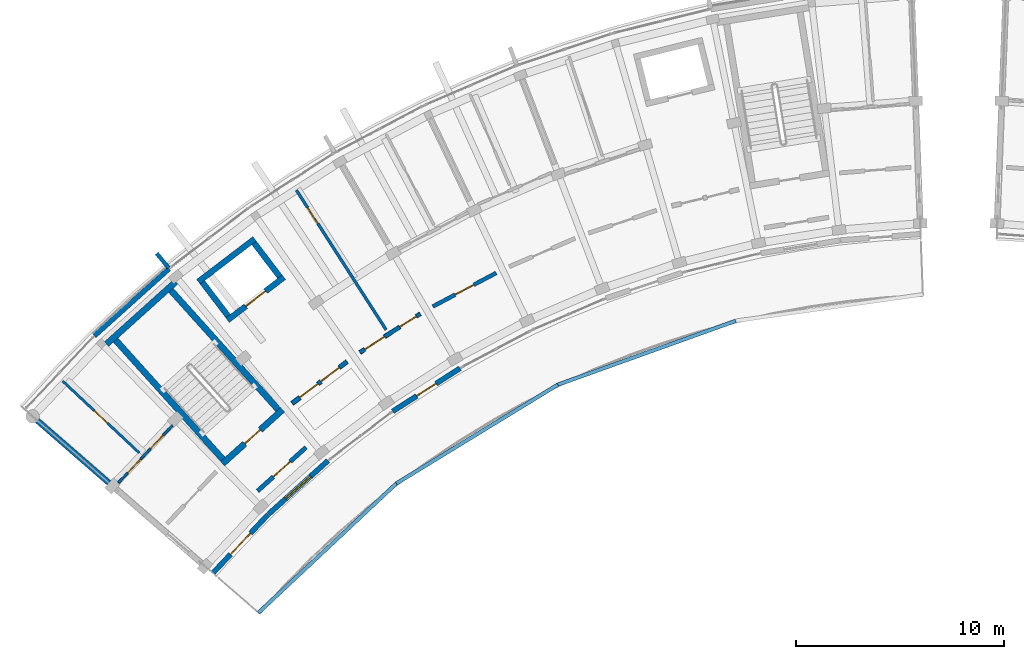
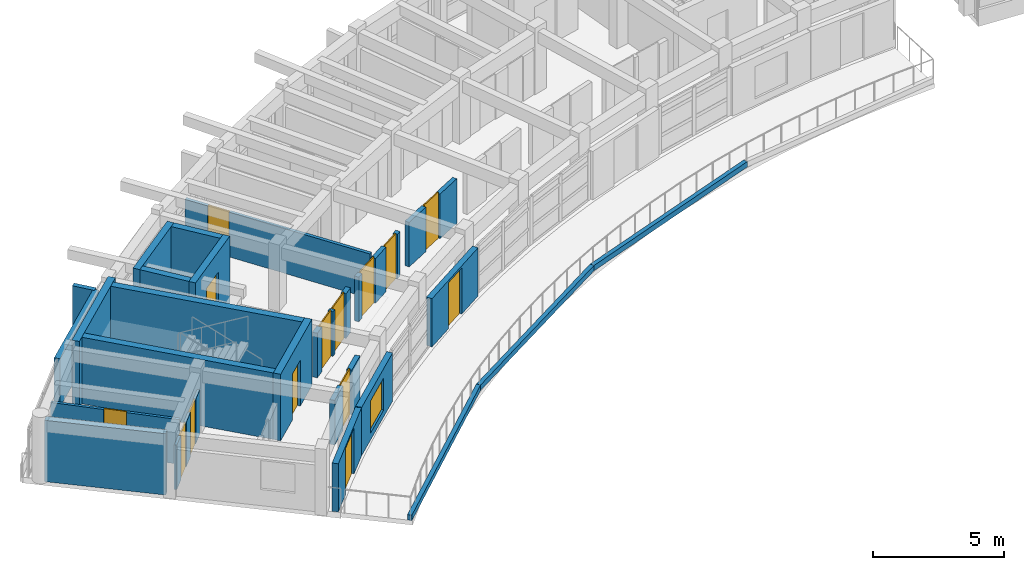
# One storey, part 14 of 23: 24 walls, 14 doors, 1 window, 15 openings.
"""IFC4 building model written with IfcOpenShell, lengths in metres."""

from ifc_helpers import new_model, si_unit, direction, frame, frame_2d, origin, place, context, subcontext, project, spatial, rectangle, extrude, material, layer, layer_set, type_object, element, fill, save


model = new_model("IFC4")

# Units and contexts
model_context = context("Model", 3, precision=1e-05, world=origin(), true_north=direction((0.0, 1.0)))
body_context = subcontext(model_context, "Body", "Model", "MODEL_VIEW")
ifc_project = project(units=[si_unit("LENGTHUNIT", "METRE"), si_unit("AREAUNIT", "SQUARE_METRE"), si_unit("VOLUMEUNIT", "CUBIC_METRE"), si_unit("PLANEANGLEUNIT", "RADIAN"), si_unit("MASSUNIT", "GRAM", prefix="KILO")], contexts=[model_context])

# Site, building, storey
site_placement = place(None, origin())
site = spatial("IfcSite", under=ifc_project, at=site_placement, CompositionType="ELEMENT")
building_placement = place(site_placement, origin())
building = spatial("IfcBuilding", under=site, at=building_placement, Name="Zimvara Arc Housing Community", CompositionType="ELEMENT")
storey_placement = place(building_placement, frame((0.0, 0.0, 36.0)))
storey = spatial("IfcBuildingStorey", under=building, at=storey_placement, Name="L11", CompositionType="ELEMENT", Elevation=36.0)

# Walls
ifc_material_1 = material(Name="Board-Marked Fair-Faced Concrete C35/45", Category="concrete")
ifc_layer_1 = layer(ifc_material_1, 0.179931640625)
ifc_layer_set_1 = layer_set([ifc_layer_1], Name="Board-Marked Fair-Faced Concrete C35/45")
wall_type_1 = type_object("IfcWallType", Name="EWL-PARA-180", PredefinedType="PARAPET", material=ifc_layer_set_1)
wall_1_placement = place(storey_placement, frame((11.400390625, 73.707763671875, 0.0), z_axis=(0.0, 0.0, 1.0), x_axis=(0.729564048979, 0.68391249326, 0.0)))
element("IfcWall", 1, at=wall_1_placement, inside=storey, type_object=wall_type_1, Name="parapet:blkA:L11:p0", PredefinedType="PARAPET", context=body_context, shape_type="SweptSolid", body=[
    extrude(rectangle(XDim=9.075439453125, YDim=0.179931640625, at=frame_2d((4.53759765625, 0.0))), origin(), (0.0, 0.0, 1.0), 0.25),
])
wall_2_placement = place(storey_placement, frame((18.021484375, 79.91455078125, 0.0), z_axis=(0.0, 0.0, 1.0), x_axis=(0.853089592587, 0.521764455496, 0.0)))
element("IfcWall", 2, at=wall_2_placement, inside=storey, type_object=wall_type_1, Name="parapet:blkA:L11:p5", PredefinedType="PARAPET", context=body_context, shape_type="SweptSolid", body=[
    extrude(rectangle(XDim=9.0751953125, YDim=0.179931640625, at=frame_2d((4.53759765625, 0.0))), origin(), (0.0, 0.0, 1.0), 0.25),
])
wall_3_placement = place(storey_placement, frame((25.763427734375, 84.649658203125, 0.0), z_axis=(0.0, 0.0, 1.0), x_axis=(0.941178218484, 0.337910581443, 0.0)))
element("IfcWall", 3, at=wall_3_placement, inside=storey, type_object=wall_type_1, Name="parapet:blkA:L11:p10", PredefinedType="PARAPET", context=body_context, shape_type="SweptSolid", body=[
    extrude(rectangle(XDim=9.075439453125, YDim=0.179931640625, at=frame_2d((4.53759765625, 0.0))), origin(), (0.0, 0.0, 1.0), 0.25),
])
ifc_material_2 = material(Name="Board-Marked Fair-Faced Concrete C35/45", Category="concrete")
ifc_layer_2 = layer(ifc_material_2, 0.195068359375)
ifc_layer_set_2 = layer_set([ifc_layer_2], Name="Board-Marked Fair-Faced Concrete C35/45")
wall_type_2 = type_object("IfcWallType", Name="EWL-PARA-195", PredefinedType="PARAPET", material=ifc_layer_set_2)
wall_4_placement = place(storey_placement, frame((7.09228515625, 90.25732421875, 0.0), z_axis=(0.0, 0.0, 1.0), x_axis=(-0.637967316825, 0.770063440674, 0.0)))
element("IfcWall", 4, at=wall_4_placement, inside=storey, type_object=wall_type_2, Name="finwall:blkA:L11:out:b2", PredefinedType="PARAPET", context=body_context, shape_type="SweptSolid", body=[
    extrude(rectangle(XDim=0.900146484375, YDim=0.195068359375, at=frame_2d((0.4501953125, 0.0))), origin(), (0.0, 0.0, 1.0), 2.25),
])

# Wall, opening, door
ifc_material_3 = material(Name="Pigmented Fair-Faced Concrete C35/45", Category="concrete")
ifc_layer_3 = layer(ifc_material_3, 0.2451171875)
ifc_layer_set_3 = layer_set([ifc_layer_3], Name="Pigmented Fair-Faced Concrete C35/45")
wall_type_3 = type_object("IfcWallType", Name="EWL-PIGM-245", PredefinedType="SOLIDWALL", material=ifc_layer_set_3)
wall_5_placement = place(storey_placement, frame((9.225341796875, 75.624755859375, 0.0), z_axis=(0.0, 0.0, 1.0), x_axis=(0.686296103853, 0.727322251712, 0.0)))
wall_5 = element("IfcWall", 5, at=wall_5_placement, inside=storey, type_object=wall_type_3, Name="ewall:blkA:L11:in:b0", PredefinedType="SOLIDWALL", context=body_context, shape_type="SweptSolid", body=[
    extrude(rectangle(XDim=3.832275390625, YDim=0.2451171875, at=frame_2d((1.916015625, 0.0))), origin(), (0.0, 0.0, 1.0), 2.25),
])
opening_1_placement = place(wall_5_placement, frame((1.216064453125, 0.0, 0.0)))
opening_1 = element("IfcOpeningElement", 6, at=opening_1_placement, cuts=wall_5, Name="Opening ED07", PredefinedType="OPENING", context=body_context, shape_type="SweptSolid", body=[
    extrude(rectangle(XDim=1.39990234375, YDim=2.14990234375, at=frame_2d((0.699951171875, 1.074951171875))), frame((0.0, 0.132568359375, 0.0), z_axis=(0.0, -1.0, 0.0), x_axis=(1.0, 0.0, 0.0)), (0.0, 0.0, 1.0), 0.26513671875),
])
ifc_material_4 = material(Name="Anodised Aluminium AW-6063", Category="aluminium")
door_type_1 = type_object("IfcDoorType", Name="EDR-TERR-1400x2150", OperationType="DOUBLE_DOOR_SINGLE_SWING", PredefinedType="DOOR", material=ifc_material_4)
door_1_placement = place(opening_1_placement, origin())
door_1 = element("IfcDoor", 7, at=door_1_placement, inside=storey, type_object=door_type_1, Name="edoor:blkA:L11:terr:b0", OperationType="DOUBLE_DOOR_SINGLE_SWING", OverallHeight=2.14990234375, OverallWidth=1.39990234375, PredefinedType="DOOR", context=body_context, shape_type="SweptSolid", body=[
    extrude(rectangle(XDim=1.39990234375, YDim=2.14990234375, at=frame_2d((0.699951171875, 1.074951171875))), frame((0.0, 0.02490234375, 0.0), z_axis=(0.0, -1.0, 0.0), x_axis=(1.0, 0.0, 0.0)), (0.0, 0.0, 1.0), 0.050048828125),
])
fill(opening_1, door_1)

# Wall, opening, window
wall_6_placement = place(storey_placement, frame((11.88427734375, 78.43994140625, 0.0), z_axis=(0.0, 0.0, 1.0), x_axis=(0.743363835609, 0.668887290886, 0.0)))
wall_6 = element("IfcWall", 8, at=wall_6_placement, inside=storey, type_object=wall_type_3, Name="ewall:blkA:L11:in:b1", PredefinedType="SOLIDWALL", context=body_context, shape_type="SweptSolid", body=[
    extrude(rectangle(XDim=3.83203125, YDim=0.2451171875, at=frame_2d((1.916015625, 0.0))), origin(), (0.0, 0.0, 1.0), 2.25),
])
opening_2_placement = place(wall_6_placement, frame((1.1162109375, 0.0, 0.320068359375)))
opening_2 = element("IfcOpeningElement", 9, at=opening_2_placement, cuts=wall_6, Name="Opening W03", PredefinedType="OPENING", context=body_context, shape_type="SweptSolid", body=[
    extrude(rectangle(XDim=1.60009765625, YDim=1.5, at=frame_2d((0.800048828125, 0.75))), frame((0.0, 0.132568359375, 0.0), z_axis=(0.0, -1.0, 0.0), x_axis=(1.0, 0.0, 0.0)), (0.0, 0.0, 1.0), 0.26513671875),
])
ifc_material_5 = material(Name="Solar Control Low-E Double Glazing", Category="glass")
window_type = type_object("IfcWindowType", Name="WIN-RES-1600x1500", PartitioningType="DOUBLE_PANEL_VERTICAL", PredefinedType="WINDOW", material=ifc_material_5)
window_placement = place(opening_2_placement, origin())
window = element("IfcWindow", 10, at=window_placement, inside=storey, type_object=window_type, Name="win:blkA:L11:in:b1", OverallHeight=1.5, OverallWidth=1.60009765625, PartitioningType="DOUBLE_PANEL_VERTICAL", PredefinedType="WINDOW", context=body_context, shape_type="SweptSolid", body=[
    extrude(rectangle(XDim=1.60009765625, YDim=1.5, at=frame_2d((0.800048828125, 0.75))), frame((0.0, 0.030029296875, 0.0), z_axis=(0.0, -1.0, 0.0), x_axis=(1.0, 0.0, 0.0)), (0.0, 0.0, 1.0), 0.06005859375),
])
fill(opening_2, window)

# Wall, opening, door
wall_7_placement = place(storey_placement, frame((17.844970703125, 83.3740234375, 0.0), z_axis=(0.0, 0.0, 1.0), x_axis=(0.842284127574, 0.539033810105, 0.0)))
wall_7 = element("IfcWall", 11, at=wall_7_placement, inside=storey, type_object=wall_type_3, Name="ewall:blkA:L11:in:b3", PredefinedType="SOLIDWALL", context=body_context, shape_type="SweptSolid", body=[
    extrude(rectangle(XDim=3.832275390625, YDim=0.2451171875, at=frame_2d((1.916015625, 0.0))), origin(), (0.0, 0.0, 1.0), 2.25),
])
opening_3_placement = place(wall_7_placement, frame((1.3662109375, 0.0, 0.0)))
opening_3 = element("IfcOpeningElement", 12, at=opening_3_placement, cuts=wall_7, Name="Opening ED06", PredefinedType="OPENING", context=body_context, shape_type="SweptSolid", body=[
    extrude(rectangle(XDim=1.10009765625, YDim=2.14990234375, at=frame_2d((0.550048828125, 1.074951171875))), frame((0.0, 0.132568359375, 0.0), z_axis=(0.0, -1.0, 0.0), x_axis=(1.0, 0.0, 0.0)), (0.0, 0.0, 1.0), 0.26513671875),
])
ifc_material_6 = material(Name="Anodised Aluminium AW-6063", Category="aluminium")
door_type_2 = type_object("IfcDoorType", Name="EDR-TERR-1100x2150", OperationType="NOTDEFINED", PredefinedType="DOOR", material=ifc_material_6)
door_2_placement = place(opening_3_placement, origin())
door_2 = element("IfcDoor", 13, at=door_2_placement, inside=storey, type_object=door_type_2, Name="edoor:blkA:L11:terr:b3", OperationType="SINGLE_SWING_LEFT", OverallHeight=2.14990234375, OverallWidth=1.10009765625, PredefinedType="DOOR", context=body_context, shape_type="SweptSolid", body=[
    extrude(rectangle(XDim=1.10009765625, YDim=2.14990234375, at=frame_2d((0.550048828125, 1.074951171875))), frame((0.0, 0.02490234375, 0.0), z_axis=(0.0, -1.0, 0.0), x_axis=(1.0, 0.0, 0.0)), (0.0, 0.0, 1.0), 0.050048828125),
])
fill(opening_3, door_2)

# Wall
ifc_material_7 = material(Name="Board-Marked Fair-Faced Concrete C35/45", Category="concrete")
ifc_layer_4 = layer(ifc_material_7, 0.238037109375)
ifc_layer_set_4 = layer_set([ifc_layer_4], Name="Board-Marked Fair-Faced Concrete C35/45")
wall_type_4 = type_object("IfcWallType", Name="EWL-VAR-15", PredefinedType="SOLIDWALL", material=ifc_layer_set_4)
wall_8_placement = place(storey_placement, frame((3.528076171875, 86.996826171875, 0.0), z_axis=(0.0, 0.0, 1.0), x_axis=(0.743387539862, 0.668860946369, 0.0)))
element("IfcWall", 14, at=wall_8_placement, inside=storey, type_object=wall_type_4, Name="ewall:blkA:L11:out:b1", PredefinedType="SOLIDWALL", context=body_context, shape_type="SweptSolid", body=[
    extrude(rectangle(XDim=4.80908203125, YDim=0.238037109375, at=frame_2d((2.404541015625, 0.0))), origin(), (0.0, 0.0, 1.0), 2.25),
])

# Wall, opening, door
ifc_material_8 = material(Name="Concrete C35/45", Category="concrete")
ifc_layer_5 = layer(ifc_material_8, 0.2099609375)
ifc_layer_set_5 = layer_set([ifc_layer_5], Name="Concrete C35/45")
wall_type_5 = type_object("IfcWallType", Name="IWL-CCF-210", PredefinedType="SOLIDWALL", material=ifc_layer_set_5)
wall_9_placement = place(storey_placement, frame((11.357177734375, 79.5517578125, 0.0), z_axis=(0.0, 0.0, 1.0), x_axis=(0.743387266925, 0.668861249718, 0.0)))
wall_9 = element("IfcWall", 15, at=wall_9_placement, inside=storey, type_object=wall_type_5, Name="iwall:blkA:L11:ccf_div:b1", PredefinedType="SOLIDWALL", context=body_context, shape_type="SweptSolid", body=[
    extrude(rectangle(XDim=3.12841796875, YDim=0.2099609375, at=frame_2d((1.564208984375, 0.0))), origin(), (0.0, 0.0, 1.0), 2.080078125),
])
opening_4_placement = place(wall_9_placement, frame((1.014404296875, 0.0, 0.0)))
opening_4 = element("IfcOpeningElement", 16, at=opening_4_placement, cuts=wall_9, Name="Opening FD-CCF1", PredefinedType="OPENING", context=body_context, shape_type="SweptSolid", body=[
    extrude(rectangle(XDim=1.10009765625, YDim=2.14990234375, at=frame_2d((0.550048828125, 1.074951171875))), frame((0.0, 0.114990234375, 0.0), z_axis=(0.0, -1.0, 0.0), x_axis=(1.0, 0.0, 0.0)), (0.0, 0.0, 1.0), 0.22998046875),
])
ifc_material_9 = material(Name="Anodised Aluminium AW-6063", Category="aluminium")
door_type_3 = type_object("IfcDoorType", Name="IDR-CCF-1100x2150", OperationType="NOTDEFINED", PredefinedType="DOOR", material=ifc_material_9)
door_3_placement = place(opening_4_placement, origin())
door_3 = element("IfcDoor", 17, at=door_3_placement, inside=storey, type_object=door_type_3, Name="idoor:blkA:L11:ccf_in:b1", OperationType="SINGLE_SWING_LEFT", OverallHeight=2.14990234375, OverallWidth=1.10009765625, PredefinedType="DOOR", context=body_context, shape_type="SweptSolid", body=[
    extrude(rectangle(XDim=1.10009765625, YDim=2.14990234375, at=frame_2d((0.550048828125, 1.074951171875))), frame((0.0, 0.02490234375, 0.0), z_axis=(0.0, -1.0, 0.0), x_axis=(1.0, 0.0, 0.0)), (0.0, 0.0, 1.0), 0.050048828125),
])
fill(opening_4, door_3)

# Wall, openings, doors
wall_10_placement = place(storey_placement, frame((13.021240234375, 83.758544921875, 0.0), z_axis=(0.0, 0.0, 1.0), x_axis=(0.795498026433, 0.605956178235, 0.0)))
wall_10 = element("IfcWall", 18, at=wall_10_placement, inside=storey, type_object=wall_type_5, Name="iwall:blkA:L11:ll_div:b2", PredefinedType="SOLIDWALL", context=body_context, shape_type="SweptSolid", body=[
    extrude(rectangle(XDim=3.296142578125, YDim=0.2099609375, at=frame_2d((1.64794921875, 0.0))), origin(), (0.0, 0.0, 1.0), 2.080078125),
])
opening_5_placement = place(wall_10_placement, frame((0.449951171875, 0.0, 0.0)))
opening_5 = element("IfcOpeningElement", 19, at=opening_5_placement, cuts=wall_10, Name="Opening FD-CCF1", PredefinedType="OPENING", context=body_context, shape_type="SweptSolid", body=[
    extrude(rectangle(XDim=1.10009765625, YDim=2.14990234375, at=frame_2d((0.550048828125, 1.074951171875))), frame((0.0, 0.114990234375, 0.0), z_axis=(0.0, -1.0, 0.0), x_axis=(1.0, 0.0, 0.0)), (0.0, 0.0, 1.0), 0.22998046875),
])
opening_6_placement = place(wall_10_placement, frame((1.72607421875, 0.0, 0.0)))
opening_6 = element("IfcOpeningElement", 20, at=opening_6_placement, cuts=wall_10, Name="Opening D07", PredefinedType="OPENING", context=body_context, shape_type="SweptSolid", body=[
    extrude(rectangle(XDim=1.1201171875, YDim=2.14990234375, at=frame_2d((0.56005859375, 1.074951171875))), frame((0.0, 0.114990234375, 0.0), z_axis=(0.0, -1.0, 0.0), x_axis=(1.0, 0.0, 0.0)), (0.0, 0.0, 1.0), 0.22998046875),
])
ifc_material_10 = material(Name="Mozambican Hardwood", Category="wood")
door_type_4 = type_object("IfcDoorType", Name="IDR-AMN-1120x2150", OperationType="NOTDEFINED", PredefinedType="DOOR", material=ifc_material_10)
door_4_placement = place(opening_6_placement, origin())
door_4 = element("IfcDoor", 21, at=door_4_placement, inside=storey, type_object=door_type_4, Name="idoor:blkA:L11:rs_in:b2", OperationType="SINGLE_SWING_LEFT", OverallHeight=2.14990234375, OverallWidth=1.1201171875, PredefinedType="DOOR", context=body_context, shape_type="SweptSolid", body=[
    extrude(rectangle(XDim=1.1201171875, YDim=2.14990234375, at=frame_2d((0.56005859375, 1.074951171875))), frame((0.0, 0.02490234375, 0.0), z_axis=(0.0, -1.0, 0.0), x_axis=(1.0, 0.0, 0.0)), (0.0, 0.0, 1.0), 0.050048828125),
])
fill(opening_6, door_4)
door_5_placement = place(opening_5_placement, origin())
door_5 = element("IfcDoor", 22, at=door_5_placement, inside=storey, type_object=door_type_3, Name="idoor:blkA:L11:ll_in:b2", OperationType="SINGLE_SWING_RIGHT", OverallHeight=2.14990234375, OverallWidth=1.10009765625, PredefinedType="DOOR", context=body_context, shape_type="SweptSolid", body=[
    extrude(rectangle(XDim=1.10009765625, YDim=2.14990234375, at=frame_2d((0.550048828125, 1.074951171875))), frame((0.0, 0.02490234375, 0.0), z_axis=(0.0, -1.0, 0.0), x_axis=(1.0, 0.0, 0.0)), (0.0, 0.0, 1.0), 0.050048828125),
])
fill(opening_5, door_5)

ifc_material_11 = material(Name="Concrete C35/45", Category="concrete")
ifc_layer_6 = layer(ifc_material_11, 0.18994140625)
ifc_layer_set_6 = layer_set([ifc_layer_6], Name="Concrete C35/45")
wall_type_6 = type_object("IfcWallType", Name="IWL-CORR-190", PredefinedType="SOLIDWALL", material=ifc_layer_set_6)
wall_11_placement = place(storey_placement, frame((16.272216796875, 86.198974609375, 0.0), z_axis=(0.0, 0.0, 1.0), x_axis=(0.842257205985, 0.539075874963, 0.0)))
wall_11 = element("IfcWall", 23, at=wall_11_placement, inside=storey, type_object=wall_type_6, Name="iwall:blkA:L11:corr_out:b3", PredefinedType="SOLIDWALL", context=body_context, shape_type="SweptSolid", body=[
    extrude(rectangle(XDim=3.43603515625, YDim=0.18994140625, at=frame_2d((1.718017578125, 0.0))), origin(), (0.0, 0.0, 1.0), 2.080078125),
])
opening_7_placement = place(wall_11_placement, frame((0.280029296875, 0.0, 0.0)))
opening_7 = element("IfcOpeningElement", 24, at=opening_7_placement, cuts=wall_11, Name="Opening D07", PredefinedType="OPENING", context=body_context, shape_type="SweptSolid", body=[
    extrude(rectangle(XDim=1.1201171875, YDim=2.14990234375, at=frame_2d((0.56005859375, 1.074951171875))), frame((0.0, 0.10498046875, 0.0), z_axis=(0.0, -1.0, 0.0), x_axis=(1.0, 0.0, 0.0)), (0.0, 0.0, 1.0), 0.2099609375),
])
opening_8_placement = place(wall_11_placement, frame((2.26611328125, 0.0, 0.0)))
opening_8 = element("IfcOpeningElement", 25, at=opening_8_placement, cuts=wall_11, Name="Opening D06", PredefinedType="OPENING", context=body_context, shape_type="SweptSolid", body=[
    extrude(rectangle(XDim=0.949951171875, YDim=2.10009765625, at=frame_2d((0.47509765625, 1.050048828125))), frame((0.0, 0.10498046875, 0.0), z_axis=(0.0, -1.0, 0.0), x_axis=(1.0, 0.0, 0.0)), (0.0, 0.0, 1.0), 0.2099609375),
])
door_6_placement = place(opening_7_placement, origin())
door_6 = element("IfcDoor", 26, at=door_6_placement, inside=storey, type_object=door_type_4, Name="idoor:blkA:L11:amen:b3", OperationType="SINGLE_SWING_RIGHT", OverallHeight=2.14990234375, OverallWidth=1.1201171875, PredefinedType="DOOR", context=body_context, shape_type="SweptSolid", body=[
    extrude(rectangle(XDim=1.1201171875, YDim=2.14990234375, at=frame_2d((0.56005859375, 1.074951171875))), frame((0.0, 0.02490234375, 0.0), z_axis=(0.0, -1.0, 0.0), x_axis=(1.0, 0.0, 0.0)), (0.0, 0.0, 1.0), 0.050048828125),
])
fill(opening_7, door_6)
ifc_material_12 = material(Name="Mozambican Hardwood", Category="wood")
door_type_5 = type_object("IfcDoorType", Name="IDR-AWC-0950x2100", OperationType="NOTDEFINED", PredefinedType="DOOR", material=ifc_material_12)
door_7_placement = place(opening_8_placement, origin())
door_7 = element("IfcDoor", 27, at=door_7_placement, inside=storey, type_object=door_type_5, Name="idoor:blkA:L11:cawc:b3", OperationType="SINGLE_SWING_LEFT", OverallHeight=2.10009765625, OverallWidth=0.949951171875, PredefinedType="DOOR", context=body_context, shape_type="SweptSolid", body=[
    extrude(rectangle(XDim=0.949951171875, YDim=2.10009765625, at=frame_2d((0.47509765625, 1.050048828125))), frame((0.0, 0.02490234375, 0.0), z_axis=(0.0, -1.0, 0.0), x_axis=(1.0, 0.0, 0.0)), (0.0, 0.0, 1.0), 0.050048828125),
])
fill(opening_8, door_7)

# Wall, opening, door
wall_12_placement = place(storey_placement, frame((19.770263671875, 88.40380859375, 0.0), z_axis=(0.0, 0.0, 1.0), x_axis=(0.883410853063, 0.468599258099, 0.0)))
wall_12 = element("IfcWall", 28, at=wall_12_placement, inside=storey, type_object=wall_type_6, Name="iwall:blkA:L11:corr_out:b4", PredefinedType="SOLIDWALL", context=body_context, shape_type="SweptSolid", body=[
    extrude(rectangle(XDim=3.43603515625, YDim=0.18994140625, at=frame_2d((1.718017578125, 0.0))), origin(), (0.0, 0.0, 1.0), 2.080078125),
])
opening_9_placement = place(wall_12_placement, frame((1.2080078125, 0.0, 0.0)))
opening_9 = element("IfcOpeningElement", 29, at=opening_9_placement, cuts=wall_12, Name="Opening FD-FL2", PredefinedType="OPENING", context=body_context, shape_type="SweptSolid", body=[
    extrude(rectangle(XDim=1.02001953125, YDim=2.14990234375, at=frame_2d((0.510009765625, 1.074951171875))), frame((0.0, 0.10498046875, 0.0), z_axis=(0.0, -1.0, 0.0), x_axis=(1.0, 0.0, 0.0)), (0.0, 0.0, 1.0), 0.2099609375),
])
ifc_material_13 = material(Name="Mozambican Hardwood", Category="wood")
door_type_6 = type_object("IfcDoorType", Name="IDR-FLAT-1020x2150", OperationType="NOTDEFINED", PredefinedType="DOOR", material=ifc_material_13)
door_8_placement = place(opening_9_placement, origin())
door_8 = element("IfcDoor", 30, at=door_8_placement, inside=storey, type_object=door_type_6, Name="idoor:blkA:L11:flat:b4", OperationType="SINGLE_SWING_LEFT", OverallHeight=2.14990234375, OverallWidth=1.02001953125, PredefinedType="DOOR", context=body_context, shape_type="SweptSolid", body=[
    extrude(rectangle(XDim=1.02001953125, YDim=2.14990234375, at=frame_2d((0.510009765625, 1.074951171875))), frame((0.0, 0.02490234375, 0.0), z_axis=(0.0, -1.0, 0.0), x_axis=(1.0, 0.0, 0.0)), (0.0, 0.0, 1.0), 0.050048828125),
])
fill(opening_9, door_8)

# Wall, openings, doors
ifc_material_14 = material(Name="Painted Acoustic Plasterboard")
ifc_layer_7 = layer(ifc_material_14, 0.110107421875)
ifc_layer_set_7 = layer_set([ifc_layer_7], Name="Painted Acoustic Plasterboard")
wall_type_7 = type_object("IfcWallType", Name="IWL-PART-110", PredefinedType="PARTITIONING", material=ifc_layer_set_7)
wall_13_placement = place(storey_placement, frame((4.677978515625, 79.948486328125, 0.0), z_axis=(0.0, 0.0, 1.0), x_axis=(0.686331812627, 0.72728855551, 0.0)))
wall_13 = element("IfcWall", 31, at=wall_13_placement, inside=storey, type_object=wall_type_7, Name="iwall:blkA:L11:srv:b0", PredefinedType="PARTITIONING", context=body_context, shape_type="SweptSolid", body=[
    extrude(rectangle(XDim=3.78515625, YDim=0.110107421875, at=frame_2d((1.892578125, 0.0))), origin(), (0.0, 0.0, 1.0), 2.080078125),
])
opening_10_placement = place(wall_13_placement, frame((0.64990234375, 0.0, 0.0)))
opening_10 = element("IfcOpeningElement", 32, at=opening_10_placement, cuts=wall_13, Name="Opening D01", PredefinedType="OPENING", context=body_context, shape_type="SweptSolid", body=[
    extrude(rectangle(XDim=0.89990234375, YDim=2.10009765625, at=frame_2d((0.449951171875, 1.050048828125))), frame((0.0, 0.06494140625, 0.0), z_axis=(0.0, -1.0, 0.0), x_axis=(1.0, 0.0, 0.0)), (0.0, 0.0, 1.0), 0.130126953125),
])
opening_11_placement = place(wall_13_placement, frame((2.255126953125, 0.0, 0.0)))
opening_11 = element("IfcOpeningElement", 33, at=opening_11_placement, cuts=wall_13, Name="Opening D05", PredefinedType="OPENING", context=body_context, shape_type="SweptSolid", body=[
    extrude(rectangle(XDim=0.8798828125, YDim=2.10009765625, at=frame_2d((0.43994140625, 1.050048828125))), frame((0.0, 0.06494140625, 0.0), z_axis=(0.0, -1.0, 0.0), x_axis=(1.0, 0.0, 0.0)), (0.0, 0.0, 1.0), 0.130126953125),
])
ifc_material_15 = material(Name="Mozambican Hardwood", Category="wood")
door_type_7 = type_object("IfcDoorType", Name="IDR-RM-0900x2100", OperationType="NOTDEFINED", PredefinedType="DOOR", material=ifc_material_15)
door_9_placement = place(opening_10_placement, origin())
door_9 = element("IfcDoor", 34, at=door_9_placement, inside=storey, type_object=door_type_7, Name="idoor:blkA:L11:kit_liv:b0", OperationType="SINGLE_SWING_RIGHT", OverallHeight=2.10009765625, OverallWidth=0.89990234375, PredefinedType="DOOR", context=body_context, shape_type="SweptSolid", body=[
    extrude(rectangle(XDim=0.89990234375, YDim=2.10009765625, at=frame_2d((0.449951171875, 1.050048828125))), frame((0.0, 0.02490234375, 0.0), z_axis=(0.0, -1.0, 0.0), x_axis=(1.0, 0.0, 0.0)), (0.0, 0.0, 1.0), 0.050048828125),
])
fill(opening_10, door_9)
ifc_material_16 = material(Name="Mozambican Hardwood", Category="wood")
door_type_8 = type_object("IfcDoorType", Name="IDR-WC-0880x2100", OperationType="NOTDEFINED", PredefinedType="DOOR", material=ifc_material_16)
door_10_placement = place(opening_11_placement, origin())
door_10 = element("IfcDoor", 35, at=door_10_placement, inside=storey, type_object=door_type_8, Name="idoor:blkA:L11:bath_d:b0", OperationType="SINGLE_SWING_LEFT", OverallHeight=2.10009765625, OverallWidth=0.8798828125, PredefinedType="DOOR", context=body_context, shape_type="SweptSolid", body=[
    extrude(rectangle(XDim=0.8798828125, YDim=2.10009765625, at=frame_2d((0.43994140625, 1.050048828125))), frame((0.0, 0.02490234375, 0.0), z_axis=(0.0, -1.0, 0.0), x_axis=(1.0, 0.0, 0.0)), (0.0, 0.0, 1.0), 0.050048828125),
])
fill(opening_11, door_10)

# Wall, opening, door
ifc_material_17 = material(Name="Painted Acoustic Plasterboard")
ifc_layer_8 = layer(ifc_material_17, 0.1201171875)
ifc_layer_set_8 = layer_set([ifc_layer_8], Name="Painted Acoustic Plasterboard")
wall_type_8 = type_object("IfcWallType", Name="IWL-PART-120", PredefinedType="PARTITIONING", material=ifc_layer_set_8)
wall_14_placement = place(storey_placement, frame((5.6875, 81.37451171875, 0.0), z_axis=(0.0, 0.0, 1.0), x_axis=(-0.72936983679, 0.684119610288, 0.0)))
wall_14 = element("IfcWall", 36, at=wall_14_placement, inside=storey, type_object=wall_type_8, Name="iwall:blkA:L11:bed_div:b0", PredefinedType="PARTITIONING", context=body_context, shape_type="SweptSolid", body=[
    extrude(rectangle(XDim=5.050048828125, YDim=0.1201171875, at=frame_2d((2.52490234375, 0.0))), origin(), (0.0, 0.0, 1.0), 2.080078125),
])
opening_12_placement = place(wall_14_placement, frame((2.080078125, 0.0, 0.0)))
opening_12 = element("IfcOpeningElement", 37, at=opening_12_placement, cuts=wall_14, Name="Opening D12", PredefinedType="OPENING", context=body_context, shape_type="SweptSolid", body=[
    extrude(rectangle(XDim=0.889892578125, YDim=2.10009765625, at=frame_2d((0.44482421875, 1.050048828125))), frame((0.0, 0.070068359375, 0.0), z_axis=(0.0, -1.0, 0.0), x_axis=(1.0, 0.0, 0.0)), (0.0, 0.0, 1.0), 0.14013671875),
])
ifc_material_18 = material(Name="Mozambican Hardwood", Category="wood")
door_type_9 = type_object("IfcDoorType", Name="IDR-MOD-890x2140", OperationType="NOTDEFINED", PredefinedType="DOOR", material=ifc_material_18)
door_11_placement = place(opening_12_placement, origin())
door_11 = element("IfcDoor", 38, at=door_11_placement, inside=storey, type_object=door_type_9, Name="idoor:blkA:L11:bed_d:b0", OperationType="SINGLE_SWING_RIGHT", OverallHeight=2.10009765625, OverallWidth=0.889892578125, PredefinedType="DOOR", context=body_context, shape_type="SweptSolid", body=[
    extrude(rectangle(XDim=0.889892578125, YDim=2.10009765625, at=frame_2d((0.44482421875, 1.050048828125))), frame((0.0, 0.02490234375, 0.0), z_axis=(0.0, -1.0, 0.0), x_axis=(1.0, 0.0, 0.0)), (0.0, 0.0, 1.0), 0.050048828125),
])
fill(opening_12, door_11)

ifc_material_19 = material(Name="Painted Acoustic Plasterboard")
ifc_layer_9 = layer(ifc_material_19, 0.139892578125)
ifc_layer_set_9 = layer_set([ifc_layer_9], Name="Painted Acoustic Plasterboard")
wall_type_9 = type_object("IfcWallType", Name="IWL-PART-140", PredefinedType="PARTITIONING", material=ifc_layer_set_9)
wall_15_placement = place(storey_placement, frame((17.52392578125, 87.287841796875, 0.0), z_axis=(0.0, 0.0, 1.0), x_axis=(-0.540338452216, 0.841447774408, 0.0)))
wall_15 = element("IfcWall", 39, at=wall_15_placement, inside=storey, type_object=wall_type_9, Name="iwall:blkA:L11:amen_div:b3", PredefinedType="PARTITIONING", context=body_context, shape_type="SweptSolid", body=[
    extrude(rectangle(XDim=7.949951171875, YDim=0.139892578125, at=frame_2d((3.97509765625, 0.0))), origin(), (0.0, 0.0, 1.0), 2.080078125),
])
opening_13_placement = place(wall_15_placement, frame((6.050048828125, 0.0, 0.0)))
opening_13 = element("IfcOpeningElement", 40, at=opening_13_placement, cuts=wall_15, Name="Opening D02", PredefinedType="OPENING", context=body_context, shape_type="SweptSolid", body=[
    extrude(rectangle(XDim=0.919921875, YDim=2.10009765625, at=frame_2d((0.4599609375, 1.050048828125))), frame((0.0, 0.079833984375, 0.0), z_axis=(0.0, -1.0, 0.0), x_axis=(1.0, 0.0, 0.0)), (0.0, 0.0, 1.0), 0.159912109375),
])
ifc_material_20 = material(Name="Mozambican Hardwood", Category="wood")
door_type_10 = type_object("IfcDoorType", Name="IDR-RM-0920x2100", OperationType="NOTDEFINED", PredefinedType="DOOR", material=ifc_material_20)
door_12_placement = place(opening_13_placement, origin())
door_12 = element("IfcDoor", 41, at=door_12_placement, inside=storey, type_object=door_type_10, Name="idoor:blkA:L11:laund_d:b3", OperationType="SINGLE_SWING_RIGHT", OverallHeight=2.10009765625, OverallWidth=0.919921875, PredefinedType="DOOR", context=body_context, shape_type="SweptSolid", body=[
    extrude(rectangle(XDim=0.919921875, YDim=2.10009765625, at=frame_2d((0.4599609375, 1.050048828125))), frame((0.0, 0.02490234375, 0.0), z_axis=(0.0, -1.0, 0.0), x_axis=(1.0, 0.0, 0.0)), (0.0, 0.0, 1.0), 0.050048828125),
])
fill(opening_13, door_12)

ifc_material_21 = material(Name="Concrete C40/50", Category="concrete")
ifc_layer_10 = layer(ifc_material_21, 0.280029296875)
ifc_layer_set_10 = layer_set([ifc_layer_10], Name="Concrete C40/50")
wall_type_10 = type_object("IfcWallType", Name="WL-CORE-280", PredefinedType="SHEAR", material=ifc_layer_set_10)
wall_16_placement = place(storey_placement, frame((12.615966796875, 89.80712890625, 0.0), z_axis=(0.0, 0.0, 1.0), x_axis=(-0.795474703455, -0.605986795371, 0.0)))
wall_16 = element("IfcWall", 42, at=wall_16_placement, inside=storey, type_object=wall_type_10, Name="lwall:LF-A1:L11:front", PredefinedType="SHEAR", context=body_context, shape_type="SweptSolid", body=[
    extrude(rectangle(XDim=3.389892578125, YDim=0.280029296875, at=frame_2d((1.69482421875, 0.0))), origin(), (0.0, 0.0, 1.0), 3.10009765625),
])
opening_14_placement = place(wall_16_placement, frame((1.094970703125, 0.0, 0.0)))
opening_14 = element("IfcOpeningElement", 43, at=opening_14_placement, cuts=wall_16, Name="Opening LD-LF-A1", PredefinedType="OPENING", context=body_context, shape_type="SweptSolid", body=[
    extrude(rectangle(XDim=1.199951171875, YDim=2.14990234375, at=frame_2d((0.60009765625, 1.074951171875))), frame((0.0, 0.14990234375, 0.0), z_axis=(0.0, -1.0, 0.0), x_axis=(1.0, 0.0, 0.0)), (0.0, 0.0, 1.0), 0.300048828125),
])
ifc_material_22 = material(Name="Anodised Aluminium AW-6063", Category="aluminium")
door_type_11 = type_object("IfcDoorType", Name="IDR-LD-1200x2150", OperationType="DOUBLE_DOOR_SLIDING", PredefinedType="DOOR", material=ifc_material_22)
door_13_placement = place(opening_14_placement, origin())
door_13 = element("IfcDoor", 44, at=door_13_placement, inside=storey, type_object=door_type_11, Name="Lift LF-A1 Sliding Landing Door L11", OperationType="DOUBLE_DOOR_SLIDING", OverallHeight=2.14990234375, OverallWidth=1.199951171875, PredefinedType="DOOR", context=body_context, shape_type="SweptSolid", body=[
    extrude(rectangle(XDim=1.199951171875, YDim=2.14990234375, at=frame_2d((0.60009765625, 1.074951171875))), frame((0.0, 0.02490234375, 0.0), z_axis=(0.0, -1.0, 0.0), x_axis=(1.0, 0.0, 0.0)), (0.0, 0.0, 1.0), 0.050048828125),
])
fill(opening_14, door_13)

# Walls
wall_17_placement = place(storey_placement, frame((11.216064453125, 91.644775390625, 0.0), z_axis=(0.0, 0.0, 1.0), x_axis=(-0.795439986025, -0.606032365994, 0.0)))
element("IfcWall", 45, at=wall_17_placement, inside=storey, type_object=wall_type_10, Name="lwall:LF-A1:L11:back", PredefinedType="SHEAR", context=body_context, shape_type="SweptSolid", body=[
    extrude(rectangle(XDim=3.389892578125, YDim=0.280029296875, at=frame_2d((1.69482421875, 0.0))), origin(), (0.0, 0.0, 1.0), 3.10009765625),
])
wall_18_placement = place(storey_placement, frame((12.419677734375, 89.833740234375, 0.0), z_axis=(0.0, 0.0, 1.0), x_axis=(-0.605948992168, 0.795503500238, 0.0)))
element("IfcWall", 46, at=wall_18_placement, inside=storey, type_object=wall_type_10, Name="lwall:LF-A1:L11:left", PredefinedType="SHEAR", context=body_context, shape_type="SweptSolid", body=[
    extrude(rectangle(XDim=2.02978515625, YDim=0.280029296875, at=frame_2d((1.014892578125, 0.0))), origin(), (0.0, 0.0, 1.0), 3.10009765625),
])
wall_19_placement = place(storey_placement, frame((9.94580078125, 87.948974609375, 0.0), z_axis=(0.0, 0.0, 1.0), x_axis=(-0.605891019062, 0.795547656033, 0.0)))
element("IfcWall", 47, at=wall_19_placement, inside=storey, type_object=wall_type_10, Name="lwall:LF-A1:L11:right", PredefinedType="SHEAR", context=body_context, shape_type="SweptSolid", body=[
    extrude(rectangle(XDim=2.030029296875, YDim=0.280029296875, at=frame_2d((1.01513671875, 0.0))), origin(), (0.0, 0.0, 1.0), 3.10009765625),
])

# Wall, opening, door
ifc_material_23 = material(Name="Concrete C40/50", Category="concrete")
ifc_layer_11 = layer(ifc_material_23, 0.300048828125)
ifc_layer_set_11 = layer_set([ifc_layer_11], Name="Concrete C40/50")
wall_type_11 = type_object("IfcWallType", Name="WL-CORE-300", PredefinedType="SHEAR", material=ifc_layer_set_11)
wall_20_placement = place(storey_placement, frame((12.556884765625, 83.4501953125, 0.0), z_axis=(0.0, 0.0, 1.0), x_axis=(-0.743375696158, -0.668874109501, 0.0)))
wall_20 = element("IfcWall", 48, at=wall_20_placement, inside=storey, type_object=wall_type_11, Name="cwall:ST-A1:L11:near", PredefinedType="SHEAR", context=body_context, shape_type="SweptSolid", body=[
    extrude(rectangle(XDim=3.8701171875, YDim=0.300048828125, at=frame_2d((1.93505859375, 0.0))), origin(), (0.0, 0.0, 1.0), 3.10009765625),
])
opening_15_placement = place(wall_20_placement, frame((1.43505859375, 0.0, 0.0)))
opening_15 = element("IfcOpeningElement", 49, at=opening_15_placement, cuts=wall_20, Name="Opening FD-ST1", PredefinedType="OPENING", context=body_context, shape_type="SweptSolid", body=[
    extrude(rectangle(XDim=1.0, YDim=2.14990234375, at=frame_2d((0.5, 1.074951171875))), frame((0.0, 0.159912109375, 0.0), z_axis=(0.0, -1.0, 0.0), x_axis=(1.0, 0.0, 0.0)), (0.0, 0.0, 1.0), 0.320068359375),
])
ifc_material_24 = material(Name="Anodised Aluminium AW-6063", Category="aluminium")
door_type_12 = type_object("IfcDoorType", Name="IDR-ST-1000x2150", OperationType="NOTDEFINED", PredefinedType="DOOR", material=ifc_material_24)
door_14_placement = place(opening_15_placement, origin())
door_14 = element("IfcDoor", 50, at=door_14_placement, inside=storey, type_object=door_type_12, Name="idoor:ST-A1:L11:entry", OperationType="SINGLE_SWING_LEFT", OverallHeight=2.14990234375, OverallWidth=1.0, PredefinedType="DOOR", context=body_context, shape_type="SweptSolid", body=[
    extrude(rectangle(XDim=1.0, YDim=2.14990234375, at=frame_2d((0.5, 1.074951171875))), frame((0.0, 0.02490234375, 0.0), z_axis=(0.0, -1.0, 0.0), x_axis=(1.0, 0.0, 0.0)), (0.0, 0.0, 1.0), 0.050048828125),
])
fill(opening_15, door_14)

# Walls
wall_21_placement = place(storey_placement, frame((7.435546875, 89.59033203125, 0.0), z_axis=(0.0, 0.0, 1.0), x_axis=(-0.743400052815, -0.668847038922, 0.0)))
element("IfcWall", 51, at=wall_21_placement, inside=storey, type_object=wall_type_11, Name="cwall:ST-A1:L11:far", PredefinedType="SHEAR", context=body_context, shape_type="SweptSolid", body=[
    extrude(rectangle(XDim=4.469970703125, YDim=0.300048828125, at=frame_2d((2.23486328125, 0.0))), origin(), (0.0, 0.0, 1.0), 3.10009765625),
])
wall_22_placement = place(storey_placement, frame((12.344970703125, 83.461181640625, 0.0), z_axis=(0.0, 0.0, 1.0), x_axis=(-0.668868253964, 0.743380964808, 0.0)))
element("IfcWall", 52, at=wall_22_placement, inside=storey, type_object=wall_type_11, Name="cwall:ST-A1:L11:left", PredefinedType="SHEAR", context=body_context, shape_type="SweptSolid", body=[
    extrude(rectangle(XDim=7.68994140625, YDim=0.300048828125, at=frame_2d((3.844970703125, 0.0))), origin(), (0.0, 0.0, 1.0), 3.10009765625),
])
wall_23_placement = place(storey_placement, frame((9.691162109375, 81.073486328125, 0.0), z_axis=(0.0, 0.0, 1.0), x_axis=(-0.668885797871, 0.743365179038, 0.0)))
element("IfcWall", 53, at=wall_23_placement, inside=storey, type_object=wall_type_11, Name="cwall:ST-A1:L11:right", PredefinedType="SHEAR", context=body_context, shape_type="SweptSolid", body=[
    extrude(rectangle(XDim=7.690185546875, YDim=0.300048828125, at=frame_2d((3.84521484375, 0.0))), origin(), (0.0, 0.0, 1.0), 3.10009765625),
])
ifc_material_25 = material(Name="Concrete C40/50", Category="concrete")
ifc_layer_12 = layer(ifc_material_25, 0.27001953125)
ifc_layer_set_12 = layer_set([ifc_layer_12], Name="Concrete C40/50")
wall_type_12 = type_object("IfcWallType", Name="WL-SHEAR-270", PredefinedType="SHEAR", material=ifc_layer_set_12)
wall_24_placement = place(storey_placement, frame((4.2607421875, 79.9140625, 0.0), z_axis=(0.0, 0.0, 1.0), x_axis=(-0.754703505217, 0.65606601742, 0.0)))
element("IfcWall", 54, at=wall_24_placement, inside=storey, type_object=wall_type_12, Name="swall:blkA:L11:west", PredefinedType="SHEAR", context=body_context, shape_type="SweptSolid", body=[
    extrude(rectangle(XDim=4.719970703125, YDim=0.27001953125, at=frame_2d((2.35986328125, 0.0))), origin(), (0.0, 0.0, 1.0), 2.860107421875),
])

save(model, "model.ifc")
